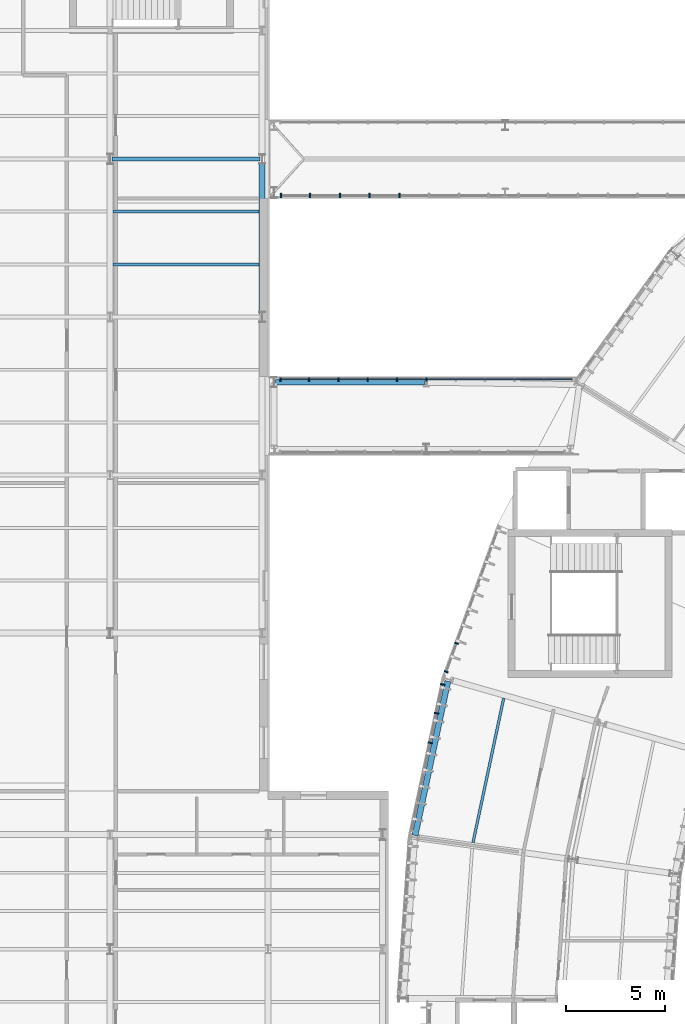
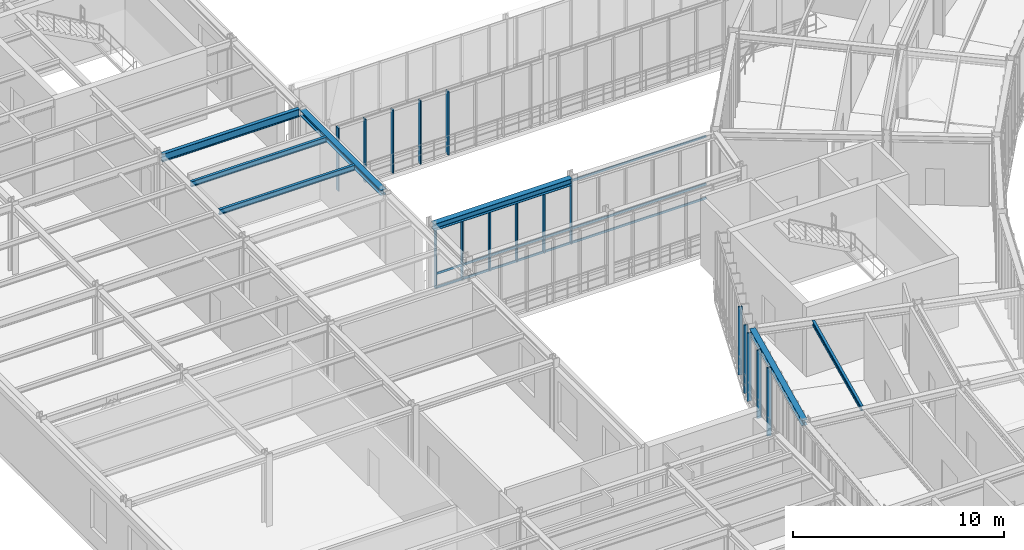
# One storey, part 14 of 57: 19 members, 7 beams, 4 elements without a shape of their own.
"""IFC4 building model written with IfcOpenShell, lengths in metres."""

import ifcopenshell
import ifcopenshell.guid

model = None  # the IFC model being written
_history = None  # IfcOwnerHistory: only IFC2X3 demands one
_inside = {}  # id of a spatial element -> (the spatial element, [elements in it])
_under = {}  # id of a project, library or spatial element -> (it, [spatial elements below it])
_declared = {}  # id of a project -> (the project, [libraries it declares])
_typed = {}  # id of a type object -> (the type object, [elements of that type])
_made_of = {}  # id of a material, layer set ... -> (it, [elements and type objects made of it])


def new_model(schema):
    """Start an empty IFC model of exactly this schema.

    Asked for "IFC4X3", IfcOpenShell would pick the latest addendum, in which some entities
    have other attributes; the version numbers below select the first issue.
    IFC2X3 requires an IfcOwnerHistory on every rooted entity: one is made here for all.
    """
    global model, _history
    if schema == "IFC4X3":
        model = ifcopenshell.file(schema_version=(4, 3, 0, 0))
    else:
        model = ifcopenshell.file(schema=schema)
    _inside.clear()
    _under.clear()
    _declared.clear()
    _typed.clear()
    _made_of.clear()
    _history = None
    if model.schema == "IFC2X3":
        org = make("IfcOrganization", Name="unknown")
        user = make(
            "IfcPersonAndOrganization",
            ThePerson=make("IfcPerson", FamilyName="unknown"),
            TheOrganization=org,
        )
        app = make(
            "IfcApplication",
            ApplicationDeveloper=org,
            Version="unknown",
            ApplicationFullName="unknown",
            ApplicationIdentifier="unknown",
        )
        _history = make(
            "IfcOwnerHistory",
            OwningUser=user,
            OwningApplication=app,
            ChangeAction="ADDED",
            CreationDate=0,
        )
    return model


def make(cls, **values):
    """One entity of the class cls with the attributes given. An attribute that is None is left unset."""
    return model.create_entity(
        cls, **{name: value for name, value in values.items() if value is not None}
    )


def rooted(cls, **values):
    """An entity with a GlobalId (a new one), such as an element, a storey or a relation."""
    return make(cls, GlobalId=ifcopenshell.guid.new(), OwnerHistory=_history, **values)


def si_unit(unit_type, name, prefix=None):
    """IfcSIUnit, for example si_unit("LENGTHUNIT", "METRE", prefix="MILLI")."""
    return make("IfcSIUnit", UnitType=unit_type, Prefix=prefix, Name=name)


def assignment(units):
    """IfcUnitAssignment: the units of a project."""
    return None if units is None else make("IfcUnitAssignment", Units=units)


def point(xyz):
    """IfcCartesianPoint."""
    return None if xyz is None else make("IfcCartesianPoint", Coordinates=xyz)


def direction(xyz):
    """IfcDirection."""
    return None if xyz is None else make("IfcDirection", DirectionRatios=xyz)


def frame(location, z_axis=None, x_axis=None):
    """IfcAxis2Placement3D, a coordinate frame: its origin and axes. An axis left out is left unset."""
    return make(
        "IfcAxis2Placement3D",
        Location=point(location),
        Axis=direction(z_axis),
        RefDirection=direction(x_axis),
    )


def frame_2d(location, x_axis=None):
    """IfcAxis2Placement2D, a coordinate frame in the plane: its origin and x axis."""
    return make(
        "IfcAxis2Placement2D", Location=point(location), RefDirection=direction(x_axis)
    )


def origin():
    """The frame at (0, 0, 0) with its axes left unset."""
    return frame((0.0, 0.0, 0.0))


def origin_2d():
    """The frame at (0, 0) in the plane with its x axis left unset."""
    return frame_2d((0.0, 0.0))


def place(relative_to, where):
    """IfcLocalPlacement: puts the frame where relative to a parent placement (None: the world)."""
    return make(
        "IfcLocalPlacement", PlacementRelTo=relative_to, RelativePlacement=where
    )


def context(
    kind, dimensions, precision=None, world=None, true_north=None, identifier=None
):
    """IfcGeometricRepresentationContext, for example the 3D "Model" context."""
    return make(
        "IfcGeometricRepresentationContext",
        ContextIdentifier=identifier,
        ContextType=kind,
        CoordinateSpaceDimension=dimensions,
        Precision=precision,
        WorldCoordinateSystem=world,
        TrueNorth=true_north,
    )


def subcontext(parent, identifier, kind, view, scale=None):
    """IfcGeometricRepresentationSubContext, for example "Body" below "Model"."""
    return make(
        "IfcGeometricRepresentationSubContext",
        ContextIdentifier=identifier,
        ContextType=kind,
        ParentContext=parent,
        TargetScale=scale,
        TargetView=view,
    )


def project(units=None, contexts=None):
    """IfcProject with its units and contexts."""
    return rooted(
        "IfcProject",
        Name="project",
        RepresentationContexts=contexts,
        UnitsInContext=assignment(units),
    )


def spatial(cls, under=None, at=None, **own):
    """A site, building, storey or space (cls), placed at a placement, below another one or the project."""
    s = rooted(cls, ObjectPlacement=at, **own)
    if under is not None:
        _under.setdefault(under.id(), (under, []))[1].append(s)
    return s


def profile(cls, at=None, kind="AREA", **sizes):
    """A parametric profile (cls). Its sizes go by their IFC names, for example OverallWidth=200.0."""
    return make(cls, ProfileType=kind, Position=at, **sizes)


def rectangle(**sizes):
    """IfcRectangleProfileDef."""
    return profile("IfcRectangleProfileDef", **sizes)


def i_section(**sizes):
    """IfcIShapeProfileDef."""
    return profile("IfcIShapeProfileDef", **sizes)


def extrude(swept, where, along, depth):
    """IfcExtrudedAreaSolid: the profile swept, set in the frame where, extruded along a direction by depth."""
    return make(
        "IfcExtrudedAreaSolid",
        SweptArea=swept,
        Position=where,
        ExtrudedDirection=direction(along),
        Depth=depth,
    )


def shape(context_of_items, identifier, shape_type, items):
    """IfcShapeRepresentation: the items that make up one representation, for example the "Body"."""
    return make(
        "IfcShapeRepresentation",
        ContextOfItems=context_of_items,
        RepresentationIdentifier=identifier,
        RepresentationType=shape_type,
        Items=items,
    )


def material(Name=None, Category=None):
    """IfcMaterial."""
    return make("IfcMaterial", Name=Name, Category=Category)


def layer(
    of_material, thickness, ventilated=None, Name=None, Category=None, Priority=None
):
    """IfcMaterialLayer: one layer of a wall or slab, of a material (None: an air gap)."""
    return make(
        "IfcMaterialLayer",
        Material=of_material,
        LayerThickness=thickness,
        IsVentilated=ventilated,
        Name=Name,
        Category=Category,
        Priority=Priority,
    )


def layer_set(layers, Name=None):
    """IfcMaterialLayerSet."""
    return make("IfcMaterialLayerSet", MaterialLayers=layers, LayerSetName=Name)


def material_profile(
    of_material, cross_section, Name=None, Category=None, Priority=None
):
    """IfcMaterialProfile: a cross section and its material."""
    return make(
        "IfcMaterialProfile",
        Name=Name,
        Material=of_material,
        Profile=cross_section,
        Priority=Priority,
        Category=Category,
    )


def profile_set(profiles, Name=None, composite=None):
    """IfcMaterialProfileSet."""
    return make(
        "IfcMaterialProfileSet",
        Name=Name,
        MaterialProfiles=profiles,
        CompositeProfile=composite,
    )


def made_of(thing, what):
    """Note that an element or type object is made of a material, layer set ...; save() writes the relation."""
    if what is not None:
        _made_of.setdefault(what.id(), (what, []))[1].append(thing)
    return thing


def type_object(cls, material=None, **own):
    """A type object (cls), such as IfcWallType, which elements share."""
    return made_of(rooted(cls, **own), material)


def element(
    cls,
    number,
    at=None,
    inside=None,
    cuts=None,
    type_object=None,
    material=None,
    context=None,
    identifier="Body",
    shape_type=None,
    held_by="IfcProductDefinitionShape",
    body=None,
    shapes=None,
    **own,
):
    """One element of the class cls, such as IfcWall. Its Tag is "e" and its number.

    at: its placement. inside: the storey or other place that contains it. cuts: it is an
    opening in that element (IfcRelVoidsElement). A single representation is given by context,
    identifier, shape_type and body (its items); several are given by shapes. held_by: the class
    of the entity that holds the representations. save() writes the other relations.
    """
    e = rooted(cls, Tag="e%d" % number, ObjectPlacement=at, **own)
    if body is not None:
        shapes = [shape(context, identifier, shape_type, body)]
    if shapes is not None:
        e.Representation = make(held_by, Representations=shapes)
    if inside is not None:
        _inside.setdefault(inside.id(), (inside, []))[1].append(e)
    if cuts is not None:
        rooted(
            "IfcRelVoidsElement", RelatingBuildingElement=cuts, RelatedOpeningElement=e
        )
    if type_object is not None:
        _typed.setdefault(type_object.id(), (type_object, []))[1].append(e)
    return made_of(e, material)


def aggregate(whole, parts):
    """IfcRelAggregates: a whole, such as a stair, and the parts it consists of."""
    return rooted("IfcRelAggregates", RelatingObject=whole, RelatedObjects=parts)


def save(model, path):
    """Write the relations noted so far, then the file.

    IfcRelAggregates (storeys below a building ...), IfcRelContainedInSpatialStructure (elements
    in a storey), IfcRelDefinesByType, IfcRelAssociatesMaterial and IfcRelDeclares: one each for
    every whole, place, type object, material and project.
    """
    for whole, parts in _under.values():
        aggregate(whole, parts)
    for where, things in _inside.values():
        rooted(
            "IfcRelContainedInSpatialStructure",
            RelatedElements=things,
            RelatingStructure=where,
        )
    for kind, things in _typed.values():
        rooted("IfcRelDefinesByType", RelatedObjects=things, RelatingType=kind)
    for what, things in _made_of.values():
        rooted("IfcRelAssociatesMaterial", RelatedObjects=things, RelatingMaterial=what)
    for by, libraries in _declared.values():
        rooted("IfcRelDeclares", RelatingContext=by, RelatedDefinitions=libraries)
    model.write(path)


model = new_model("IFC4")

# Units and contexts
model_context = context("Model", 3, precision=1e-05, world=origin(), true_north=direction((0.0, 1.0)))
body_context = subcontext(model_context, "Body", "Model", "MODEL_VIEW")
ifc_project = project(units=[si_unit("LENGTHUNIT", "METRE"), si_unit("AREAUNIT", "SQUARE_METRE"), si_unit("VOLUMEUNIT", "CUBIC_METRE"), si_unit("PLANEANGLEUNIT", "RADIAN"), si_unit("MASSUNIT", "GRAM", prefix="KILO"), si_unit("THERMODYNAMICTEMPERATUREUNIT", "KELVIN"), si_unit("POWERUNIT", "WATT")], contexts=[model_context])

# Site, building, storey
site_placement = place(None, origin())
site = spatial("IfcSite", under=ifc_project, at=site_placement, CompositionType="ELEMENT")
building_placement = place(site_placement, origin())
building = spatial("IfcBuilding", under=site, at=building_placement, Name="Solvatero Civic Police Headquarters", CompositionType="ELEMENT")
storey_placement = place(building_placement, frame((0.0, 0.0, 9.300048828125)))
storey = spatial("IfcBuildingStorey", under=building, at=storey_placement, Name="L02", CompositionType="ELEMENT", Elevation=9.300048828125)

# Beams
ifc_material_1 = material(Name="Steel S355", Category="steel")
ifc_material_profile_1 = material_profile(ifc_material_1, i_section(OverallWidth=0.300048828125, OverallDepth=0.31005859375, WebThickness=0.009033203125, FlangeThickness=0.015380859375, FilletRadius=0.027099609375, at=origin_2d()), Name="HEA 320")
ifc_profile_set_1 = profile_set([ifc_material_profile_1], Name="Steel S355")
beam_type_1 = type_object("IfcBeamType", Name="BM-ST-HEA320", PredefinedType="SPANDREL", material=ifc_profile_set_1)
beam_1_placement = place(storey_placement, frame((28.199951171875, 60.659912109375, 3.844970703125), z_axis=(0.0, 1.0, 0.0), x_axis=(-1.0, 0.0, 0.0)))
element("IfcBeam", 1, at=beam_1_placement, inside=storey, type_object=beam_type_1, Name="Perimeter / radial spandrel beam BM-R2-L02-V6-GY-4-3", PredefinedType="SPANDREL", context=body_context, shape_type="SweptSolid", body=[
    extrude(i_section(OverallWidth=0.300048828125, OverallDepth=0.31005859375, WebThickness=0.009033203125, FlangeThickness=0.015380859375, FilletRadius=0.027099609375, at=origin_2d()), origin(), (0.0, 0.0, 1.0), 7.68017578125),
])
beam_2_placement = place(storey_placement, frame((37.601318359375, 42.068359375, 3.844970703125), z_axis=(-0.207912160321, -0.978147500938, 0.0), x_axis=(0.978147500938, -0.207912160321, 0.0)))
element("IfcBeam", 2, at=beam_2_placement, inside=storey, type_object=beam_type_1, Name="Perimeter / radial spandrel beam BM-R2-L02-ARC-COUT-B11", PredefinedType="SPANDREL", context=body_context, shape_type="SweptSolid", body=[
    extrude(i_section(OverallWidth=0.300048828125, OverallDepth=0.31005859375, WebThickness=0.009033203125, FlangeThickness=0.015380859375, FilletRadius=0.027099609375, at=origin_2d()), origin(), (0.0, 0.0, 1.0), 7.982666015625),
])
ifc_material_profile_2 = material_profile(ifc_material_1, i_section(OverallWidth=0.300048828125, OverallDepth=0.389892578125, WebThickness=0.010986328125, FlangeThickness=0.01904296875, FilletRadius=0.027099609375, at=origin_2d()), Name="HEA 400")
ifc_profile_set_2 = profile_set([ifc_material_profile_2], Name="Steel S355")
beam_type_2 = type_object("IfcBeamType", Name="BM-ST-HEA400", PredefinedType="BEAM", material=ifc_profile_set_2)
beam_3_placement = place(storey_placement, frame((28.8798828125, 57.199951171875, 3.7548828125), z_axis=(1.0, 0.0, 0.0), x_axis=(0.0, 1.0, 0.0)))
element("IfcBeam", 3, at=beam_3_placement, inside=storey, type_object=beam_type_2, Name="Primary girder BM-R2-L02-SB1-N-1", PredefinedType="BEAM", context=body_context, shape_type="SweptSolid", body=[
    extrude(i_section(OverallWidth=0.300048828125, OverallDepth=0.389892578125, WebThickness=0.010986328125, FlangeThickness=0.01904296875, FilletRadius=0.027099609375, at=origin_2d()), origin(), (0.0, 0.0, 1.0), 7.5400390625),
])
ifc_material_profile_3 = material_profile(ifc_material_1, i_section(OverallWidth=0.135009765625, OverallDepth=0.27001953125, WebThickness=0.006591796875, FlangeThickness=0.01025390625, FilletRadius=0.014892578125, at=origin_2d()), Name="IPE 270")
ifc_profile_set_3 = profile_set([ifc_material_profile_3], Name="Steel S355")
beam_type_3 = type_object("IfcBeamType", Name="BM-ST-IPE270", PredefinedType="BEAM", material=ifc_profile_set_3)
beam_4_placement = place(storey_placement, frame((40.426513671875, 41.206298828125, 3.864990234375), z_axis=(-0.207904092949, -0.97814921568, 0.0), x_axis=(0.97814921568, -0.207904092949, 0.0)))
element("IfcBeam", 4, at=beam_4_placement, inside=storey, type_object=beam_type_3, Name="Composite floor beam BM-R2-L02-ARC-CS2-B11", PredefinedType="BEAM", context=body_context, shape_type="SweptSolid", body=[
    extrude(i_section(OverallWidth=0.135009765625, OverallDepth=0.27001953125, WebThickness=0.006591796875, FlangeThickness=0.01025390625, FilletRadius=0.014892578125, at=origin_2d()), origin(), (0.0, 0.0, 1.0), 7.470947265625),
])
ifc_material_profile_4 = material_profile(ifc_material_1, i_section(OverallWidth=0.14990234375, OverallDepth=0.300048828125, WebThickness=0.007080078125, FlangeThickness=0.0107421875, FilletRadius=0.014892578125, at=origin_2d()), Name="IPE 300")
ifc_profile_set_4 = profile_set([ifc_material_profile_4], Name="Steel S355")
beam_type_4 = type_object("IfcBeamType", Name="BM-ST-IPE300", PredefinedType="BEAM", material=ifc_profile_set_4)
for number, where, z_axis, x_axis, name in (
    (5, (20.64990234375, 63.166748046875, 3.849853515625), (1.0, 0.0, 0.0), (0.0, 1.0, 0.0), "Composite floor beam BM-R2-L02-V6-SEC-3-3-S1"),
    (6, (20.64990234375, 65.833251953125, 3.849853515625), (1.0, 0.0, 0.0), (0.0, 1.0, 0.0), "Composite floor beam BM-R2-L02-V6-SEC-3-3-S2"),
):
    element("IfcBeam", number, at=place(storey_placement, frame(where, z_axis=z_axis, x_axis=x_axis)), inside=storey, type_object=beam_type_4, Name=name, PredefinedType="BEAM", context=body_context, shape_type="SweptSolid", body=[
        extrude(i_section(OverallWidth=0.14990234375, OverallDepth=0.300048828125, WebThickness=0.007080078125, FlangeThickness=0.0107421875, FilletRadius=0.014892578125, at=origin_2d()), origin(), (0.0, 0.0, 1.0), 7.400146484375),
    ])
ifc_material_profile_5 = material_profile(ifc_material_1, i_section(OverallWidth=0.18994140625, OverallDepth=0.449951171875, WebThickness=0.009521484375, FlangeThickness=0.0146484375, FilletRadius=0.02099609375, at=origin_2d()), Name="IPE 450")
ifc_profile_set_5 = profile_set([ifc_material_profile_5], Name="Steel S355")
beam_type_5 = type_object("IfcBeamType", Name="BM-ST-IPE450", PredefinedType="BEAM", material=ifc_profile_set_5)
beam_5_placement = place(storey_placement, frame((20.60009765625, 68.5, 3.77490234375), z_axis=(1.0, 0.0, 0.0), x_axis=(0.0, 1.0, 0.0)))
element("IfcBeam", 7, at=beam_5_placement, inside=storey, type_object=beam_type_5, Name="Primary girder BM-R2-L02-V6-GX-3-4", PredefinedType="BEAM", context=body_context, shape_type="SweptSolid", body=[
    extrude(i_section(OverallWidth=0.18994140625, OverallDepth=0.449951171875, WebThickness=0.009521484375, FlangeThickness=0.0146484375, FilletRadius=0.02099609375, at=origin_2d()), origin(), (0.0, 0.0, 1.0), 7.5),
])

# Curtain wall, members
ifc_material_2 = material(Name="Anodized Bronze Aluminium", Category="aluminium")
ifc_layer_1 = layer(ifc_material_2, 0.179931640625)
ifc_layer_set_1 = layer_set([ifc_layer_1], Name="Anodized Bronze Aluminium")
curtain_wall_type_1 = type_object("IfcCurtainWallType", Name="CW-SB-GLZ", PredefinedType="USERDEFINED", material=ifc_layer_set_1)
curtain_wall_1_placement = place(storey_placement, origin())
curtain_wall_1 = element("IfcCurtainWall", 8, at=curtain_wall_1_placement, inside=storey, type_object=curtain_wall_type_1, Name="Curtain Wall CW-R2-L02-SB1-N", ObjectType="UNITISED", PredefinedType="USERDEFINED")
ifc_material_profile_6 = material_profile(ifc_material_2, rectangle(XDim=0.06494140625, YDim=0.179931640625, at=origin_2d()), Name="ALU MULLION 65x180")
ifc_profile_set_6 = profile_set([ifc_material_profile_6], Name="Anodized Bronze Aluminium")
member_type_1 = type_object("IfcMemberType", Name="CWM-200x75", PredefinedType="MULLION", material=ifc_profile_set_6)
member_1_placement = place(storey_placement, frame((29.1298828125, 57.35009765625, 0.0), z_axis=(0.0, 0.0, 1.0), x_axis=(1.0, 0.0, 0.0)))
member_1 = element("IfcMember", 9, at=member_1_placement, type_object=member_type_1, Name="CW-R2-L02-SB1-N Mullion 1", PredefinedType="MULLION", context=body_context, shape_type="SweptSolid", body=[
    extrude(rectangle(XDim=0.06494140625, YDim=0.179931640625, at=origin_2d()), origin(), (0.0, 0.0, 1.0), 3.64990234375),
])
member_2_placement = place(storey_placement, frame((30.574951171875, 57.35009765625, 0.0), z_axis=(0.0, 0.0, 1.0), x_axis=(1.0, 0.0, 0.0)))
member_2 = element("IfcMember", 10, at=member_2_placement, type_object=member_type_1, Name="CW-R2-L02-SB1-N Mullion 2", PredefinedType="MULLION", context=body_context, shape_type="SweptSolid", body=[
    extrude(rectangle(XDim=0.06494140625, YDim=0.179931640625, at=origin_2d()), origin(), (0.0, 0.0, 1.0), 3.64990234375),
])
member_3_placement = place(storey_placement, frame((32.06005859375, 57.35009765625, 0.0), z_axis=(0.0, 0.0, 1.0), x_axis=(1.0, 0.0, 0.0)))
member_3 = element("IfcMember", 11, at=member_3_placement, type_object=member_type_1, Name="CW-R2-L02-SB1-N Mullion 3", PredefinedType="MULLION", context=body_context, shape_type="SweptSolid", body=[
    extrude(rectangle(XDim=0.06494140625, YDim=0.179931640625, at=origin_2d()), origin(), (0.0, 0.0, 1.0), 3.64990234375),
])
member_4_placement = place(storey_placement, frame((33.544921875, 57.35009765625, 0.0), z_axis=(0.0, 0.0, 1.0), x_axis=(1.0, 0.0, 0.0)))
member_4 = element("IfcMember", 12, at=member_4_placement, type_object=member_type_1, Name="CW-R2-L02-SB1-N Mullion 4", PredefinedType="MULLION", context=body_context, shape_type="SweptSolid", body=[
    extrude(rectangle(XDim=0.06494140625, YDim=0.179931640625, at=origin_2d()), origin(), (0.0, 0.0, 1.0), 3.64990234375),
])
member_5_placement = place(storey_placement, frame((35.030029296875, 57.35009765625, 0.0), z_axis=(0.0, 0.0, 1.0), x_axis=(1.0, 0.0, 0.0)))
member_5 = element("IfcMember", 13, at=member_5_placement, type_object=member_type_1, Name="CW-R2-L02-SB1-N Mullion 5", PredefinedType="MULLION", context=body_context, shape_type="SweptSolid", body=[
    extrude(rectangle(XDim=0.06494140625, YDim=0.179931640625, at=origin_2d()), origin(), (0.0, 0.0, 1.0), 3.64990234375),
])
member_6_placement = place(storey_placement, frame((36.514892578125, 57.35009765625, 0.0), z_axis=(0.0, 0.0, 1.0), x_axis=(1.0, 0.0, 0.0)))
member_6 = element("IfcMember", 14, at=member_6_placement, type_object=member_type_1, Name="CW-R2-L02-SB1-N Mullion 6", PredefinedType="MULLION", context=body_context, shape_type="SweptSolid", body=[
    extrude(rectangle(XDim=0.06494140625, YDim=0.179931640625, at=origin_2d()), origin(), (0.0, 0.0, 1.0), 3.64990234375),
])

ifc_layer_2 = layer(ifc_material_2, 0.179931640625)
ifc_layer_set_2 = layer_set([ifc_layer_2], Name="Anodized Bronze Aluminium")
curtain_wall_type_2 = type_object("IfcCurtainWallType", Name="CW-ARC-OUT", PredefinedType="USERDEFINED", material=ifc_layer_set_2)
curtain_wall_2_placement = place(storey_placement, origin())
curtain_wall_2 = element("IfcCurtainWall", 15, at=curtain_wall_2_placement, inside=storey, type_object=curtain_wall_type_2, Name="Curtain Wall CW-R2-L02-ARC-OUT-B10", ObjectType="UNITISED", PredefinedType="USERDEFINED")
ifc_material_profile_7 = material_profile(ifc_material_2, rectangle(XDim=0.070068359375, YDim=0.199951171875, at=origin_2d()), Name="ALU MULLION 70x200")
ifc_profile_set_7 = profile_set([ifc_material_profile_7], Name="Anodized Bronze Aluminium")
member_type_2 = type_object("IfcMemberType", Name="CWM-220x80", PredefinedType="MULLION", material=ifc_profile_set_7)
member_7_placement = place(storey_placement, frame((38.039306640625, 43.98388671875, 0.0), z_axis=(0.0, 0.0, 1.0), x_axis=(-0.342020143326, -0.939692620786, 0.0)))
member_7 = element("IfcMember", 16, at=member_7_placement, type_object=member_type_2, Name="CW-R2-L02-ARC-OUT-B10 Mullion 5", PredefinedType="MULLION", context=body_context, shape_type="SweptSolid", body=[
    extrude(rectangle(XDim=0.070068359375, YDim=0.199951171875, at=origin_2d()), origin(), (0.0, 0.0, 1.0), 3.93994140625),
])
member_8_placement = place(storey_placement, frame((37.515380859375, 42.544189453125, 0.0), z_axis=(0.0, 0.0, 1.0), x_axis=(-0.342020143326, -0.939692620786, 0.0)))
member_8 = element("IfcMember", 17, at=member_8_placement, type_object=member_type_2, Name="CW-R2-L02-ARC-OUT-B10 Mullion 6", PredefinedType="MULLION", context=body_context, shape_type="SweptSolid", body=[
    extrude(rectangle(XDim=0.070068359375, YDim=0.199951171875, at=origin_2d()), origin(), (0.0, 0.0, 1.0), 3.93994140625),
])
aggregate(curtain_wall_2, [member_7, member_8])

curtain_wall_3_placement = place(storey_placement, origin())
curtain_wall_3 = element("IfcCurtainWall", 18, at=curtain_wall_3_placement, inside=storey, type_object=curtain_wall_type_2, Name="Curtain Wall CW-R2-L02-ARC-OUT-B11", ObjectType="UNITISED", PredefinedType="USERDEFINED")
ifc_material_profile_8 = material_profile(ifc_material_2, rectangle(XDim=0.074951171875, YDim=0.219970703125, at=origin_2d()), Name="ALU MULLION 75x220")
ifc_profile_set_8 = profile_set([ifc_material_profile_8], Name="Anodized Bronze Aluminium")
member_type_3 = type_object("IfcMemberType", Name="CWM-250x85", PredefinedType="MULLION", material=ifc_profile_set_8)
member_9_placement = place(storey_placement, frame((37.331298828125, 41.90185546875, 0.0), z_axis=(0.0, 0.0, 1.0), x_axis=(-0.207911690818, -0.978147600734, 0.0)))
member_9 = element("IfcMember", 19, at=member_9_placement, type_object=member_type_3, Name="CW-R2-L02-ARC-OUT-B11 Mullion 1", PredefinedType="MULLION", context=body_context, shape_type="SweptSolid", body=[
    extrude(rectangle(XDim=0.074951171875, YDim=0.219970703125, at=origin_2d()), origin(), (0.0, 0.0, 1.0), 3.93994140625),
])
member_10_placement = place(storey_placement, frame((37.021484375, 40.44482421875, 0.0), z_axis=(0.0, 0.0, 1.0), x_axis=(-0.207911690818, -0.978147600734, 0.0)))
member_10 = element("IfcMember", 20, at=member_10_placement, type_object=member_type_3, Name="CW-R2-L02-ARC-OUT-B11 Mullion 2", PredefinedType="MULLION", context=body_context, shape_type="SweptSolid", body=[
    extrude(rectangle(XDim=0.074951171875, YDim=0.219970703125, at=origin_2d()), origin(), (0.0, 0.0, 1.0), 3.93994140625),
])
member_11_placement = place(storey_placement, frame((36.70361328125, 38.94873046875, 0.0), z_axis=(0.0, 0.0, 1.0), x_axis=(-0.207911690818, -0.978147600734, 0.0)))
member_11 = element("IfcMember", 21, at=member_11_placement, type_object=member_type_3, Name="CW-R2-L02-ARC-OUT-B11 Mullion 3", PredefinedType="MULLION", context=body_context, shape_type="SweptSolid", body=[
    extrude(rectangle(XDim=0.074951171875, YDim=0.219970703125, at=origin_2d()), origin(), (0.0, 0.0, 1.0), 3.93994140625),
])
aggregate(curtain_wall_3, [member_9, member_10, member_11])

curtain_wall_4_placement = place(storey_placement, origin())
curtain_wall_4 = element("IfcCurtainWall", 22, at=curtain_wall_4_placement, inside=storey, type_object=curtain_wall_type_1, Name="Curtain Wall CW-R2-L02-SB2-S", ObjectType="UNITISED", PredefinedType="USERDEFINED")
member_12_placement = place(storey_placement, frame((29.155029296875, 66.64990234375, 0.0), z_axis=(0.0, 0.0, 1.0), x_axis=(1.0, 0.0, 0.0)))
member_12 = element("IfcMember", 23, at=member_12_placement, type_object=member_type_3, Name="CW-R2-L02-SB2-S Mullion 1", PredefinedType="MULLION", context=body_context, shape_type="SweptSolid", body=[
    extrude(rectangle(XDim=0.074951171875, YDim=0.219970703125, at=origin_2d()), origin(), (0.0, 0.0, 1.0), 3.64990234375),
])
member_13_placement = place(storey_placement, frame((30.622314453125, 66.64990234375, 0.0), z_axis=(0.0, 0.0, 1.0), x_axis=(1.0, 0.0, 0.0)))
member_13 = element("IfcMember", 24, at=member_13_placement, type_object=member_type_3, Name="CW-R2-L02-SB2-S Mullion 2", PredefinedType="MULLION", context=body_context, shape_type="SweptSolid", body=[
    extrude(rectangle(XDim=0.074951171875, YDim=0.219970703125, at=origin_2d()), origin(), (0.0, 0.0, 1.0), 3.64990234375),
])
member_14_placement = place(storey_placement, frame((32.129638671875, 66.64990234375, 0.0), z_axis=(0.0, 0.0, 1.0), x_axis=(1.0, 0.0, 0.0)))
member_14 = element("IfcMember", 25, at=member_14_placement, type_object=member_type_3, Name="CW-R2-L02-SB2-S Mullion 3", PredefinedType="MULLION", context=body_context, shape_type="SweptSolid", body=[
    extrude(rectangle(XDim=0.074951171875, YDim=0.219970703125, at=origin_2d()), origin(), (0.0, 0.0, 1.0), 3.64990234375),
])
member_15_placement = place(storey_placement, frame((33.63720703125, 66.64990234375, 0.0), z_axis=(0.0, 0.0, 1.0), x_axis=(1.0, 0.0, 0.0)))
member_15 = element("IfcMember", 26, at=member_15_placement, type_object=member_type_3, Name="CW-R2-L02-SB2-S Mullion 4", PredefinedType="MULLION", context=body_context, shape_type="SweptSolid", body=[
    extrude(rectangle(XDim=0.074951171875, YDim=0.219970703125, at=origin_2d()), origin(), (0.0, 0.0, 1.0), 3.64990234375),
])
member_16_placement = place(storey_placement, frame((35.144287109375, 66.64990234375, 0.0), z_axis=(0.0, 0.0, 1.0), x_axis=(1.0, 0.0, 0.0)))
member_16 = element("IfcMember", 27, at=member_16_placement, type_object=member_type_3, Name="CW-R2-L02-SB2-S Mullion 5", PredefinedType="MULLION", context=body_context, shape_type="SweptSolid", body=[
    extrude(rectangle(XDim=0.074951171875, YDim=0.219970703125, at=origin_2d()), origin(), (0.0, 0.0, 1.0), 3.64990234375),
])
aggregate(curtain_wall_4, [member_12, member_13, member_14, member_15, member_16])

# Member
ifc_material_profile_9 = material_profile(ifc_material_2, rectangle(XDim=0.06005859375, YDim=0.125, at=origin_2d()), Name="ALU TRANSOM 60x125")
ifc_profile_set_9 = profile_set([ifc_material_profile_9], Name="Anodized Bronze Aluminium")
member_type_4 = type_object("IfcMemberType", Name="CWT-160x65", PredefinedType="USERDEFINED", material=ifc_profile_set_9)
member_17_placement = place(storey_placement, frame((29.139892578125, 57.35009765625, 0.0400390625), z_axis=(1.0, 0.0, 0.0), x_axis=(0.0, 1.0, 0.0)))
member_17 = element("IfcMember", 28, at=member_17_placement, type_object=member_type_4, Name="CW-R2-L02-SB1-N Transom 1", ObjectType="TRANSOM", PredefinedType="USERDEFINED", context=body_context, shape_type="SweptSolid", body=[
    extrude(rectangle(XDim=0.06005859375, YDim=0.125, at=origin_2d()), origin(), (0.0, 0.0, 1.0), 14.75),
])

member_18_placement = place(storey_placement, frame((29.139892578125, 57.35009765625, 0.849853515625), z_axis=(1.0, 0.0, 0.0), x_axis=(0.0, 1.0, 0.0)))
member_18 = element("IfcMember", 29, at=member_18_placement, type_object=member_type_4, Name="CW-R2-L02-SB1-N Transom 2", ObjectType="TRANSOM", PredefinedType="USERDEFINED", context=body_context, shape_type="SweptSolid", body=[
    extrude(rectangle(XDim=0.06005859375, YDim=0.125, at=origin_2d()), origin(), (0.0, 0.0, 1.0), 14.75),
])

member_19_placement = place(storey_placement, frame((29.139892578125, 57.35009765625, 3.60986328125), z_axis=(1.0, 0.0, 0.0), x_axis=(0.0, 1.0, 0.0)))
member_19 = element("IfcMember", 30, at=member_19_placement, type_object=member_type_4, Name="CW-R2-L02-SB1-N Transom 3", ObjectType="TRANSOM", PredefinedType="USERDEFINED", context=body_context, shape_type="SweptSolid", body=[
    extrude(rectangle(XDim=0.06005859375, YDim=0.125, at=origin_2d()), origin(), (0.0, 0.0, 1.0), 14.75),
])

aggregate(curtain_wall_1, [member_1, member_2, member_3, member_4, member_5, member_6, member_17, member_18, member_19])

save(model, "model.ifc")
